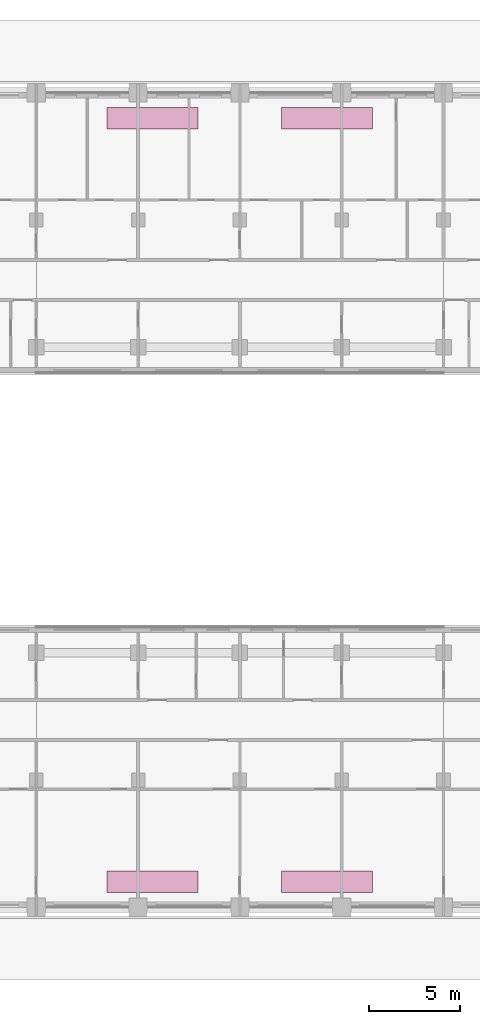
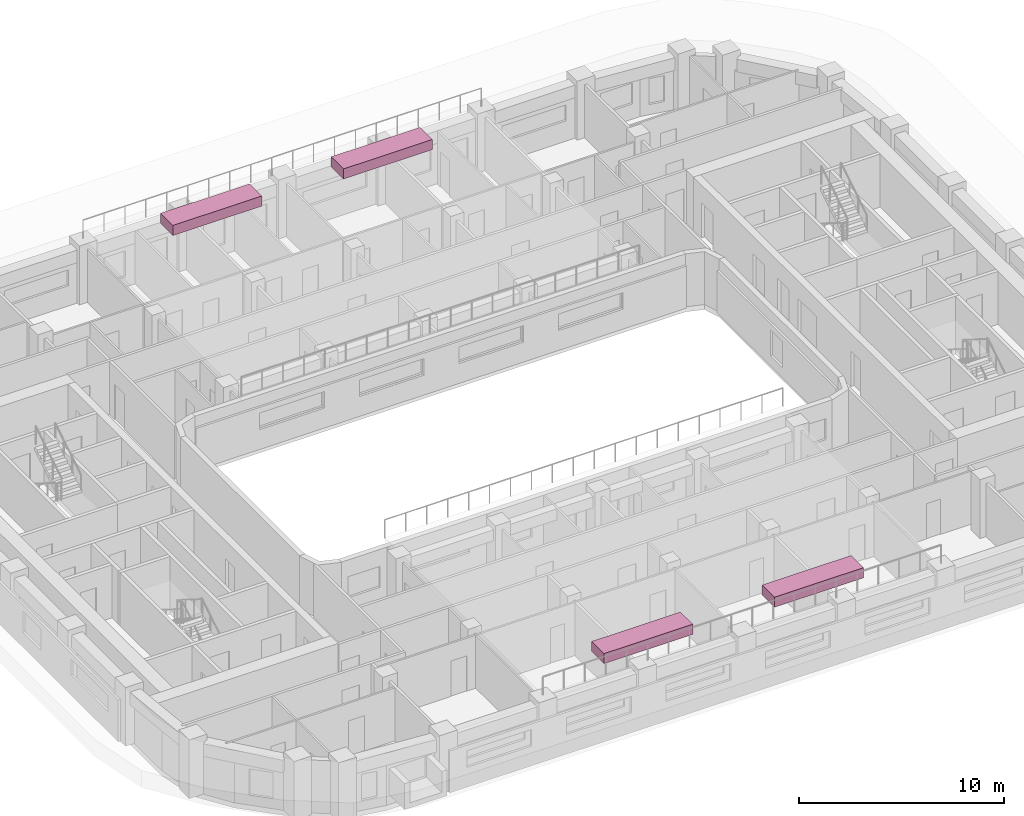
# One storey, part 17 of 17: 4 furnishings.
"""IFC4 building model written with IfcOpenShell, lengths in metres."""

from ifc_helpers import new_model, si_unit, direction, frame, origin, origin_2d, place, context, subcontext, project, spatial, rectangle, extrude, material, type_object, element, save


model = new_model("IFC4")

# Units and contexts
model_context = context("Model", 3, precision=1e-05, world=origin(), true_north=direction((0.0, 1.0)))
body_context = subcontext(model_context, "Body", "Model", "MODEL_VIEW")
ifc_project = project(units=[si_unit("LENGTHUNIT", "METRE"), si_unit("AREAUNIT", "SQUARE_METRE"), si_unit("VOLUMEUNIT", "CUBIC_METRE"), si_unit("PLANEANGLEUNIT", "RADIAN"), si_unit("MASSUNIT", "GRAM", prefix="KILO")], contexts=[model_context])

# Site, building, storey
site_placement = place(None, origin())
site = spatial("IfcSite", under=ifc_project, at=site_placement, CompositionType="ELEMENT")
building_placement = place(site_placement, origin())
building = spatial("IfcBuilding", under=site, at=building_placement, Name="Kiln Ring Residences", CompositionType="ELEMENT")
storey_placement = place(building_placement, frame((0.0, 0.0, 174.60009765625)))
storey = spatial("IfcBuildingStorey", under=building, at=storey_placement, Name="L45", CompositionType="ELEMENT", Elevation=174.60009765625)

# Furnishings
ifc_material = material(Name="Brick masonry, dark clay brick", Category="masonry")
furnishing_element_type = type_object("IfcFurnishingElementType", Name="PLANTER 1200 x 600", material=ifc_material)
for number, where, z_axis, x_axis, name in (
    (1, (-4.800048828125, 21.0, 3.499755859375), (0.0, 0.0, 1.0), (1.0, 0.0, 0.0), "PLANTER L45 1"),
    (2, (4.800048828125, 21.0, 3.499755859375), (0.0, 0.0, 1.0), (1.0, 0.0, 0.0), "PLANTER L45 2"),
    (3, (-4.800048828125, -21.0, 3.499755859375), (0.0, 0.0, 1.0), (1.0, 0.0, 0.0), "PLANTER L45 1"),
    (4, (4.800048828125, -21.0, 3.499755859375), (0.0, 0.0, 1.0), (1.0, 0.0, 0.0), "PLANTER L45 2"),
):
    element("IfcFurnishingElement", number, at=place(storey_placement, frame(where, z_axis=z_axis, x_axis=x_axis)), inside=storey, type_object=furnishing_element_type, Name=name, ObjectType="PLANTER", context=body_context, shape_type="SweptSolid", body=[
        extrude(rectangle(XDim=5.0, YDim=1.199951171875, at=origin_2d()), origin(), (0.0, 0.0, 1.0), 0.60009765625),
    ])

save(model, "model.ifc")
